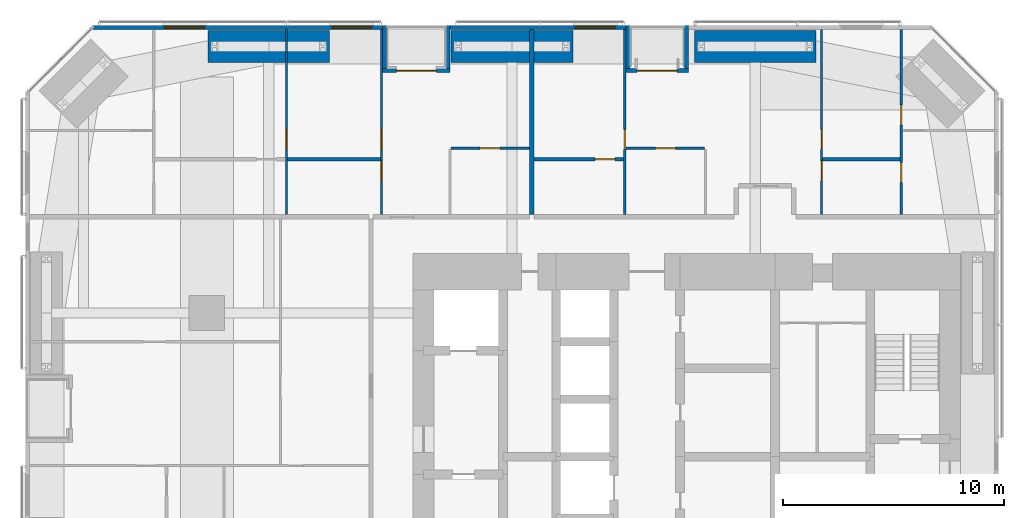
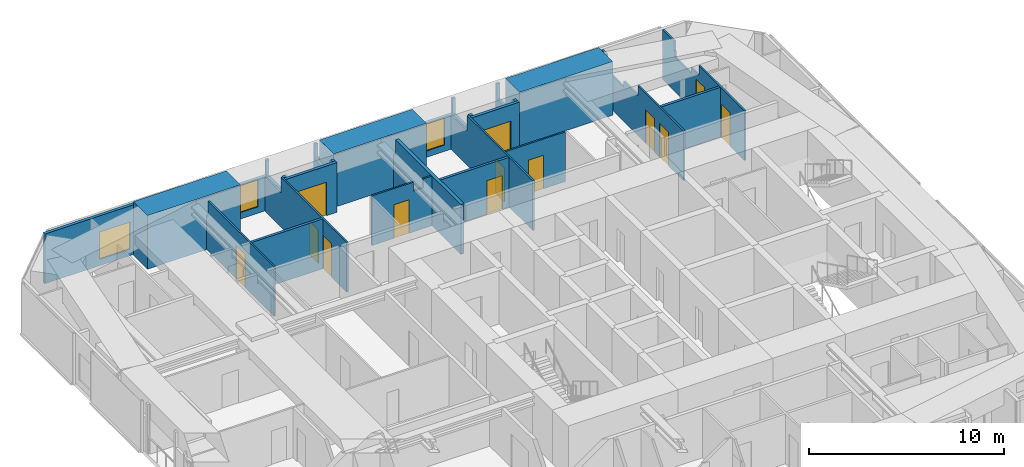
# One storey, part 20 of 22: 22 walls, 13 doors, 3 windows, 16 openings.
"""IFC4 building model written with IfcOpenShell, lengths in metres."""

from ifc_helpers import new_model, si_unit, direction, frame, frame_2d, origin, place, context, subcontext, project, spatial, polyline, rectangle, outline, extrude, material, layer, layer_set, constituent, constituent_set, type_object, element, fill, save


model = new_model("IFC4")

# Units and contexts
model_context = context("Model", 3, precision=1e-05, world=origin(), true_north=direction((0.0, 1.0)))
body_context = subcontext(model_context, "Body", "Model", "MODEL_VIEW")
ifc_project = project(units=[si_unit("LENGTHUNIT", "METRE"), si_unit("AREAUNIT", "SQUARE_METRE"), si_unit("VOLUMEUNIT", "CUBIC_METRE"), si_unit("PLANEANGLEUNIT", "RADIAN"), si_unit("MASSUNIT", "GRAM", prefix="KILO")], contexts=[model_context])

# Site, building, storey
site_placement = place(None, origin())
site = spatial("IfcSite", under=ifc_project, at=site_placement, CompositionType="ELEMENT")
building_placement = place(site_placement, origin())
building = spatial("IfcBuilding", under=site, at=building_placement, Name="Jalousie Tower", CompositionType="ELEMENT")
storey_placement = place(building_placement, frame((0.0, 0.0, 64.550048828125)))
storey = spatial("IfcBuildingStorey", under=building, at=storey_placement, Name="L17", CompositionType="ELEMENT", Elevation=64.550048828125)

# Wall
ifc_material_1 = material(Name="Concrete block ASTM C90", Category="concrete")
ifc_constituent_1 = constituent(ifc_material_1, Name="Body")
ifc_material_2 = material(Name="Render")
ifc_constituent_2 = constituent(ifc_material_2, Name="Finish")
ifc_constituent_set_1 = constituent_set(constituents=[ifc_constituent_1, ifc_constituent_2])
wall_type_1 = type_object("IfcWallType", Name="BATHROOM WALL 150", PredefinedType="PLUMBINGWALL", material=ifc_constituent_set_1)
wall_1_placement = place(storey_placement, frame((13.85009765625, 31.949951171875, 0.0), z_axis=(0.0, 0.0, 1.0), x_axis=(1.0, 0.0, 0.0)))
element("IfcWall", 1, at=wall_1_placement, inside=storey, type_object=wall_type_1, Name="Bathroom Wall 150 L17", PredefinedType="PLUMBINGWALL", context=body_context, shape_type="SweptSolid", body=[
    extrude(rectangle(XDim=4.199951171875, YDim=0.14990234375, at=frame_2d((2.10009765625, 0.0))), origin(), (0.0, 0.0, 1.0), 3.10986328125),
])

# Wall, opening, door
wall_2_placement = place(storey_placement, frame((25.0, 31.949951171875, 0.0), z_axis=(0.0, 0.0, 1.0), x_axis=(1.0, 0.0, 0.0)))
wall_2 = element("IfcWall", 2, at=wall_2_placement, inside=storey, type_object=wall_type_1, Name="Bathroom Wall 150 L17", PredefinedType="PLUMBINGWALL", context=body_context, shape_type="SweptSolid", body=[
    extrude(rectangle(XDim=4.050048828125, YDim=0.14990234375, at=frame_2d((2.02490234375, 0.0))), origin(), (0.0, 0.0, 1.0), 3.10986328125),
])
opening_1_placement = place(wall_2_placement, frame((2.75, 0.0, 0.0)))
opening_1 = element("IfcOpeningElement", 3, at=opening_1_placement, cuts=wall_2, Name="Opening D3", PredefinedType="OPENING", context=body_context, shape_type="SweptSolid", body=[
    extrude(rectangle(XDim=0.89990234375, YDim=2.10009765625, at=frame_2d((0.449951171875, 1.050048828125))), frame((0.0, 0.0849609375, 0.0), z_axis=(0.0, -1.0, 0.0), x_axis=(1.0, 0.0, 0.0)), (0.0, 0.0, 1.0), 0.169921875),
])
ifc_material_3 = material(Name="Timber door", Category="wood")
door_type_1 = type_object("IfcDoorType", Name="BATHROOM DOOR 900", OperationType="SINGLE_SWING_LEFT", PredefinedType="DOOR", material=ifc_material_3)
door_1_placement = place(opening_1_placement, frame((0.89990234375, 0.0, 0.0), z_axis=(0.0, 0.0, 1.0), x_axis=(-1.0, 0.0, 0.0)))
door_1 = element("IfcDoor", 4, at=door_1_placement, inside=storey, type_object=door_type_1, Name="Apartment 1704 bedroom 1 bathroom door", OperationType="SINGLE_SWING_LEFT", OverallHeight=2.10009765625, OverallWidth=0.89990234375, PredefinedType="DOOR", context=body_context, shape_type="SweptSolid", body=[
    extrude(rectangle(XDim=0.89990234375, YDim=2.10009765625, at=frame_2d((0.449951171875, 1.050048828125))), frame((0.0, 0.02490234375, 0.0), z_axis=(0.0, -1.0, 0.0), x_axis=(1.0, 0.0, 0.0)), (0.0, 0.0, 1.0), 0.050048828125),
])
fill(opening_1, door_1)

# Wall
wall_3_placement = place(storey_placement, frame((38.050048828125, 31.949951171875, 0.0), z_axis=(0.0, 0.0, 1.0), x_axis=(1.0, 0.0, 0.0)))
element("IfcWall", 5, at=wall_3_placement, inside=storey, type_object=wall_type_1, Name="Bathroom Wall 150 L17", PredefinedType="PLUMBINGWALL", context=body_context, shape_type="SweptSolid", body=[
    extrude(rectangle(XDim=3.5, YDim=0.14990234375, at=frame_2d((1.75, 0.0))), origin(), (0.0, 0.0, 1.0), 3.10986328125),
])

# Wall, opening, window
ifc_material_4 = material(Name="Concrete f'c 40 MPa", Category="concrete")
ifc_constituent_3 = constituent(ifc_material_4, Name="Body")
ifc_material_5 = material(Name="Render, pastel coral")
ifc_constituent_4 = constituent(ifc_material_5, Name="Finish")
ifc_constituent_set_2 = constituent_set(constituents=[ifc_constituent_3, ifc_constituent_4])
wall_type_2 = type_object("IfcWallType", Name="EXTERNAL WALL 175 CORAL RENDER", PredefinedType="SOLIDWALL", material=ifc_constituent_set_2)
wall_4_placement = place(storey_placement, frame((29.14990234375, 37.91259765625, 0.0), z_axis=(0.0, 0.0, 1.0), x_axis=(-1.0, 0.0, 0.0)))
wall_4 = element("IfcWall", 6, at=wall_4_placement, inside=storey, type_object=wall_type_2, Name="External Wall 175 Coral Render L17", PredefinedType="SOLIDWALL", context=body_context, shape_type="SweptSolid", body=[
    extrude(rectangle(XDim=7.949951171875, YDim=0.175048828125, at=frame_2d((3.97509765625, 0.0))), origin(), (0.0, 0.0, 1.0), 2.14990234375),
])
opening_2_placement = place(wall_4_placement, frame((0.489990234375, 0.0, 0.39990234375)))
opening_2 = element("IfcOpeningElement", 7, at=opening_2_placement, cuts=wall_4, Name="Opening W-BED170", PredefinedType="OPENING", context=body_context, shape_type="SweptSolid", body=[
    extrude(rectangle(XDim=1.800048828125, YDim=1.699951171875, at=frame_2d((0.89990234375, 0.85009765625))), frame((0.0, 0.097412109375, 0.0), z_axis=(0.0, -1.0, 0.0), x_axis=(1.0, 0.0, 0.0)), (0.0, 0.0, 1.0), 0.195068359375),
])
ifc_material_6 = material(Name="Aluminium frame, impact-rated glazing", Category="aluminium")
window_type = type_object("IfcWindowType", Name="WINDOW BED 1800x1700", PartitioningType="SINGLE_PANEL", PredefinedType="WINDOW", material=ifc_material_6)
window_1_placement = place(opening_2_placement, origin())
window_1 = element("IfcWindow", 8, at=window_1_placement, inside=storey, type_object=window_type, Name="Apartment 1704 bedroom 1 window", OverallHeight=1.699951171875, OverallWidth=1.800048828125, PartitioningType="SINGLE_PANEL", PredefinedType="WINDOW", context=body_context, shape_type="SweptSolid", body=[
    extrude(rectangle(XDim=1.800048828125, YDim=1.699951171875, at=frame_2d((0.89990234375, 0.85009765625))), frame((0.0, 0.030029296875, 0.0), z_axis=(0.0, -1.0, 0.0), x_axis=(1.0, 0.0, 0.0)), (0.0, 0.0, 1.0), 0.06005859375),
])
fill(opening_2, window_1)

# Wall, openings, windows
wall_5_placement = place(storey_placement, frame((18.14990234375, 37.91259765625, 0.0), z_axis=(0.0, 0.0, 1.0), x_axis=(-1.0, 0.0, 0.0)))
wall_5 = element("IfcWall", 9, at=wall_5_placement, inside=storey, type_object=wall_type_2, Name="External Wall 175 Coral Render L17", PredefinedType="SOLIDWALL", context=body_context, shape_type="SweptSolid", body=[
    extrude(outline(polyline([(0.0, 0.0), (13.0986328125, 0.0), (13.0986328125, 3.10986328125), (5.35400390625, 3.10986328125), (5.35400390625, 2.14990234375), (5.3056640625, 2.14990234375), (5.3056640625, 3.10986328125), (5.14990234375, 3.10986328125), (5.14990234375, 2.14990234375), (0.0, 2.14990234375), (0.0, 0.0)])), frame((0.0, 0.08740234375, 0.0), z_axis=(0.0, -1.0, 0.0), x_axis=(1.0, 0.0, 0.0)), (0.0, 0.0, 1.0), 0.175048828125),
])
opening_3_placement = place(wall_5_placement, frame((0.492431640625, 0.0, 0.39990234375)))
opening_3 = element("IfcOpeningElement", 10, at=opening_3_placement, cuts=wall_5, Name="Opening W-BED170", PredefinedType="OPENING", context=body_context, shape_type="SweptSolid", body=[
    extrude(rectangle(XDim=1.800048828125, YDim=1.699951171875, at=frame_2d((0.89990234375, 0.85009765625))), frame((0.0, 0.097412109375, 0.0), z_axis=(0.0, -1.0, 0.0), x_axis=(1.0, 0.0, 0.0)), (0.0, 0.0, 1.0), 0.195068359375),
])
opening_4_placement = place(wall_5_placement, frame((8.06494140625, 0.0, 0.39990234375)))
opening_4 = element("IfcOpeningElement", 11, at=opening_4_placement, cuts=wall_5, Name="Opening W-BED170", PredefinedType="OPENING", context=body_context, shape_type="SweptSolid", body=[
    extrude(rectangle(XDim=1.800048828125, YDim=1.699951171875, at=frame_2d((0.89990234375, 0.85009765625))), frame((0.0, 0.097412109375, 0.0), z_axis=(0.0, -1.0, 0.0), x_axis=(1.0, 0.0, 0.0)), (0.0, 0.0, 1.0), 0.195068359375),
])
window_2_placement = place(opening_3_placement, origin())
window_2 = element("IfcWindow", 12, at=window_2_placement, inside=storey, type_object=window_type, Name="Apartment 1703 bedroom 3 window", OverallHeight=1.699951171875, OverallWidth=1.800048828125, PartitioningType="SINGLE_PANEL", PredefinedType="WINDOW", context=body_context, shape_type="SweptSolid", body=[
    extrude(rectangle(XDim=1.800048828125, YDim=1.699951171875, at=frame_2d((0.89990234375, 0.85009765625))), frame((0.0, 0.030029296875, 0.0), z_axis=(0.0, -1.0, 0.0), x_axis=(1.0, 0.0, 0.0)), (0.0, 0.0, 1.0), 0.06005859375),
])
fill(opening_3, window_2)
window_3_placement = place(opening_4_placement, origin())
window_3 = element("IfcWindow", 13, at=window_3_placement, inside=storey, type_object=window_type, Name="Apartment 1703 bedroom 2 window", OverallHeight=1.699951171875, OverallWidth=1.800048828125, PartitioningType="SINGLE_PANEL", PredefinedType="WINDOW", context=body_context, shape_type="SweptSolid", body=[
    extrude(rectangle(XDim=1.800048828125, YDim=1.699951171875, at=frame_2d((0.89990234375, 0.85009765625))), frame((0.0, 0.030029296875, 0.0), z_axis=(0.0, -1.0, 0.0), x_axis=(1.0, 0.0, 0.0)), (0.0, 0.0, 1.0), 0.06005859375),
])
fill(opening_4, window_3)

# Wall, opening, door
wall_6_placement = place(storey_placement, frame((31.97509765625, 35.96240234375, 0.0), z_axis=(0.0, 0.0, 1.0), x_axis=(-1.0, 0.0, 0.0)))
wall_6 = element("IfcWall", 14, at=wall_6_placement, inside=storey, type_object=wall_type_2, Name="External Wall 175 Coral Render L17", PredefinedType="SOLIDWALL", context=body_context, shape_type="SweptSolid", body=[
    extrude(rectangle(XDim=2.8251953125, YDim=0.175048828125, at=frame_2d((1.41259765625, 0.0))), origin(), (0.0, 0.0, 1.0), 3.10986328125),
])
opening_5_placement = place(wall_6_placement, frame((0.512451171875, 0.0, 0.0)))
opening_5 = element("IfcOpeningElement", 15, at=opening_5_placement, cuts=wall_6, Name="Opening D-BAL21", PredefinedType="OPENING", context=body_context, shape_type="SweptSolid", body=[
    extrude(rectangle(XDim=1.800048828125, YDim=2.10009765625, at=frame_2d((0.89990234375, 1.050048828125))), frame((0.0, 0.097412109375, 0.0), z_axis=(0.0, -1.0, 0.0), x_axis=(1.0, 0.0, 0.0)), (0.0, 0.0, 1.0), 0.195068359375),
])
ifc_material_7 = material(Name="Aluminium frame, impact-rated glazing", Category="aluminium")
door_type_2 = type_object("IfcDoorType", Name="BALCONY DOOR 1800x2100", OperationType="SLIDING_TO_LEFT", PredefinedType="DOOR", material=ifc_material_7)
door_2_placement = place(opening_5_placement, origin())
door_2 = element("IfcDoor", 16, at=door_2_placement, inside=storey, type_object=door_type_2, Name="Apartment 1704 living and dining room loggia door", OperationType="SLIDING_TO_LEFT", OverallHeight=2.10009765625, OverallWidth=1.800048828125, PredefinedType="DOOR", context=body_context, shape_type="SweptSolid", body=[
    extrude(rectangle(XDim=1.800048828125, YDim=2.10009765625, at=frame_2d((0.89990234375, 1.050048828125))), frame((0.0, 0.02490234375, 0.0), z_axis=(0.0, -1.0, 0.0), x_axis=(1.0, 0.0, 0.0)), (0.0, 0.0, 1.0), 0.050048828125),
])
fill(opening_5, door_2)

# Walls
for number, where, z_axis, x_axis, name in (
    (17, (31.887451171875, 38.0, 0.0), (0.0, 0.0, 1.0), (0.0, -1.0, 0.0), "External Wall 175 Coral Render L17"),
    (18, (29.237548828125, 38.0, 0.0), (0.0, 0.0, 1.0), (0.0, -1.0, 0.0), "External Wall 175 Coral Render L17"),
):
    element("IfcWall", number, at=place(storey_placement, frame(where, z_axis=z_axis, x_axis=x_axis)), inside=storey, type_object=wall_type_2, Name=name, PredefinedType="SOLIDWALL", context=body_context, shape_type="SweptSolid", body=[
        extrude(outline(polyline([(0.0, 0.0), (1.949951171875, 0.0), (1.949951171875, 3.10986328125), (1.75, 3.10986328125), (1.75, 2.14990234375), (0.14990234375, 2.14990234375), (0.14990234375, 3.10986328125), (0.0, 3.10986328125), (0.0, 0.0)])), frame((0.0, 0.08740234375, 0.0), z_axis=(0.0, -1.0, 0.0), x_axis=(1.0, 0.0, 0.0)), (0.0, 0.0, 1.0), 0.175048828125),
    ])

# Wall, opening, door
wall_7_placement = place(storey_placement, frame((21.199951171875, 35.96240234375, 0.0), z_axis=(0.0, 0.0, 1.0), x_axis=(-1.0, 0.0, 0.0)))
wall_7 = element("IfcWall", 19, at=wall_7_placement, inside=storey, type_object=wall_type_2, Name="External Wall 175 Coral Render L17", PredefinedType="SOLIDWALL", context=body_context, shape_type="SweptSolid", body=[
    extrude(rectangle(XDim=3.050048828125, YDim=0.175048828125, at=frame_2d((1.52490234375, 0.0))), origin(), (0.0, 0.0, 1.0), 3.10986328125),
])
opening_6_placement = place(wall_7_placement, frame((0.625, 0.0, 0.0)))
opening_6 = element("IfcOpeningElement", 20, at=opening_6_placement, cuts=wall_7, Name="Opening D-BAL21", PredefinedType="OPENING", context=body_context, shape_type="SweptSolid", body=[
    extrude(rectangle(XDim=1.800048828125, YDim=2.10009765625, at=frame_2d((0.89990234375, 1.050048828125))), frame((0.0, 0.097412109375, 0.0), z_axis=(0.0, -1.0, 0.0), x_axis=(1.0, 0.0, 0.0)), (0.0, 0.0, 1.0), 0.195068359375),
])
door_3_placement = place(opening_6_placement, origin())
door_3 = element("IfcDoor", 21, at=door_3_placement, inside=storey, type_object=door_type_2, Name="Apartment 1703 living and dining room loggia door", OperationType="SLIDING_TO_LEFT", OverallHeight=2.10009765625, OverallWidth=1.800048828125, PredefinedType="DOOR", context=body_context, shape_type="SweptSolid", body=[
    extrude(rectangle(XDim=1.800048828125, YDim=2.10009765625, at=frame_2d((0.89990234375, 1.050048828125))), frame((0.0, 0.02490234375, 0.0), z_axis=(0.0, -1.0, 0.0), x_axis=(1.0, 0.0, 0.0)), (0.0, 0.0, 1.0), 0.050048828125),
])
fill(opening_6, door_3)

# Walls
for number, where, z_axis, x_axis, name in (
    (22, (21.112548828125, 38.0, 0.0), (0.0, 0.0, 1.0), (0.0, -1.0, 0.0), "External Wall 175 Coral Render L17"),
    (23, (18.237548828125, 38.0, 0.0), (0.0, 0.0, 1.0), (0.0, -1.0, 0.0), "External Wall 175 Coral Render L17"),
):
    element("IfcWall", number, at=place(storey_placement, frame(where, z_axis=z_axis, x_axis=x_axis)), inside=storey, type_object=wall_type_2, Name=name, PredefinedType="SOLIDWALL", context=body_context, shape_type="SweptSolid", body=[
        extrude(outline(polyline([(0.0, 0.0), (1.949951171875, 0.0), (1.949951171875, 3.10986328125), (1.75, 3.10986328125), (1.75, 2.14990234375), (0.14990234375, 2.14990234375), (0.14990234375, 3.10986328125), (0.0, 3.10986328125), (0.0, 0.0)])), frame((0.0, 0.08740234375, 0.0), z_axis=(0.0, -1.0, 0.0), x_axis=(1.0, 0.0, 0.0)), (0.0, 0.0, 1.0), 0.175048828125),
    ])

# Wall, opening, door
ifc_material_8 = material(Name="Gypsum board", Category="gypsum")
ifc_constituent_5 = constituent(ifc_material_8, Name="Body")
ifc_material_9 = material(Name="Light-gauge steel studs ASTM A653 SS Grade 33", Category="steel")
ifc_constituent_6 = constituent(ifc_material_9, Name="Framing")
ifc_constituent_set_3 = constituent_set(constituents=[ifc_constituent_5, ifc_constituent_6])
wall_type_3 = type_object("IfcWallType", Name="PARTITION 100", PredefinedType="PARTITIONING", material=ifc_constituent_set_3)
wall_8_placement = place(storey_placement, frame((13.800048828125, 37.824951171875, 0.0), z_axis=(0.0, 0.0, 1.0), x_axis=(0.0, -1.0, 0.0)))
wall_8 = element("IfcWall", 24, at=wall_8_placement, inside=storey, type_object=wall_type_3, Name="Partition 100 L17", PredefinedType="PARTITIONING", context=body_context, shape_type="SweptSolid", body=[
    extrude(outline(polyline([(1.635009765625, 2.14990234375), (0.0, 2.14990234375), (0.0, 0.0), (8.375, 0.0), (8.375, 3.10986328125), (1.635009765625, 3.10986328125), (1.635009765625, 2.14990234375)]), holes=[polyline([(1.021240234375, 0.133056640625), (0.52880859375, 0.133056640625), (0.52880859375, 0.9228515625), (1.021240234375, 0.9228515625), (1.021240234375, 0.133056640625)]), polyline([(1.021240234375, 1.22705078125), (0.52880859375, 1.22705078125), (0.52880859375, 2.016845703125), (1.021240234375, 2.016845703125), (1.021240234375, 1.22705078125)])]), frame((0.0, 0.050048828125, 0.0), z_axis=(0.0, -1.0, 0.0), x_axis=(1.0, 0.0, 0.0)), (0.0, 0.0, 1.0), 0.10009765625),
])
opening_7_placement = place(wall_8_placement, frame((4.52490234375, 0.0, 0.0)))
opening_7 = element("IfcOpeningElement", 25, at=opening_7_placement, cuts=wall_8, Name="Opening D2", PredefinedType="OPENING", context=body_context, shape_type="SweptSolid", body=[
    extrude(rectangle(XDim=0.89990234375, YDim=2.10009765625, at=frame_2d((0.449951171875, 1.050048828125))), frame((0.0, 0.06005859375, 0.0), z_axis=(0.0, -1.0, 0.0), x_axis=(1.0, 0.0, 0.0)), (0.0, 0.0, 1.0), 0.1201171875),
])
ifc_material_10 = material(Name="Timber door", Category="wood")
door_type_3 = type_object("IfcDoorType", Name="BEDROOM DOOR 900", OperationType="SINGLE_SWING_LEFT", PredefinedType="DOOR", material=ifc_material_10)
door_4_placement = place(opening_7_placement, frame((0.89990234375, 0.0, 0.0), z_axis=(0.0, 0.0, 1.0), x_axis=(-1.0, 0.0, 0.0)))
door_4 = element("IfcDoor", 26, at=door_4_placement, inside=storey, type_object=door_type_3, Name="Apartment 1703 bedroom 2 door", OperationType="SINGLE_SWING_LEFT", OverallHeight=2.10009765625, OverallWidth=0.89990234375, PredefinedType="DOOR", context=body_context, shape_type="SweptSolid", body=[
    extrude(rectangle(XDim=0.89990234375, YDim=2.10009765625, at=frame_2d((0.449951171875, 1.050048828125))), frame((0.0, 0.02490234375, 0.0), z_axis=(0.0, -1.0, 0.0), x_axis=(1.0, 0.0, 0.0)), (0.0, 0.0, 1.0), 0.050048828125),
])
fill(opening_7, door_4)

# Wall, openings, doors
wall_9_placement = place(storey_placement, frame((18.10009765625, 37.824951171875, 0.0), z_axis=(0.0, 0.0, 1.0), x_axis=(0.0, -1.0, 0.0)))
wall_9 = element("IfcWall", 27, at=wall_9_placement, inside=storey, type_object=wall_type_3, Name="Partition 100 L17", PredefinedType="PARTITIONING", context=body_context, shape_type="SweptSolid", body=[
    extrude(outline(polyline([(0.0, 0.0), (8.375, 0.0), (8.375, 3.10986328125), (1.635009765625, 3.10986328125), (1.635009765625, 2.14990234375), (0.0, 2.14990234375), (0.0, 3.10986328125), (0.0, 0.0)])), frame((0.0, 0.050048828125, 0.0), z_axis=(0.0, -1.0, 0.0), x_axis=(1.0, 0.0, 0.0)), (0.0, 0.0, 1.0), 0.10009765625),
])
opening_8_placement = place(wall_9_placement, frame((4.52490234375, 0.0, 0.0)))
opening_8 = element("IfcOpeningElement", 28, at=opening_8_placement, cuts=wall_9, Name="Opening D2", PredefinedType="OPENING", context=body_context, shape_type="SweptSolid", body=[
    extrude(rectangle(XDim=0.89990234375, YDim=2.10009765625, at=frame_2d((0.449951171875, 1.050048828125))), frame((0.0, 0.06005859375, 0.0), z_axis=(0.0, -1.0, 0.0), x_axis=(1.0, 0.0, 0.0)), (0.0, 0.0, 1.0), 0.1201171875),
])
opening_9_placement = place(wall_9_placement, frame((5.949951171875, 0.0, 0.0)))
opening_9 = element("IfcOpeningElement", 29, at=opening_9_placement, cuts=wall_9, Name="Opening D7", PredefinedType="OPENING", context=body_context, shape_type="SweptSolid", body=[
    extrude(rectangle(XDim=0.89990234375, YDim=2.10009765625, at=frame_2d((0.449951171875, 1.050048828125))), frame((0.0, 0.06005859375, 0.0), z_axis=(0.0, -1.0, 0.0), x_axis=(1.0, 0.0, 0.0)), (0.0, 0.0, 1.0), 0.1201171875),
])
door_5_placement = place(opening_8_placement, frame((0.89990234375, 0.0, 0.0), z_axis=(0.0, 0.0, 1.0), x_axis=(-1.0, 0.0, 0.0)))
door_5 = element("IfcDoor", 30, at=door_5_placement, inside=storey, type_object=door_type_3, Name="Apartment 1703 bedroom 3 door", OperationType="SINGLE_SWING_LEFT", OverallHeight=2.10009765625, OverallWidth=0.89990234375, PredefinedType="DOOR", context=body_context, shape_type="SweptSolid", body=[
    extrude(rectangle(XDim=0.89990234375, YDim=2.10009765625, at=frame_2d((0.449951171875, 1.050048828125))), frame((0.0, 0.02490234375, 0.0), z_axis=(0.0, -1.0, 0.0), x_axis=(1.0, 0.0, 0.0)), (0.0, 0.0, 1.0), 0.050048828125),
])
fill(opening_8, door_5)
ifc_material_11 = material(Name="Timber door", Category="wood")
door_type_4 = type_object("IfcDoorType", Name="INTERNAL DOOR 900", OperationType="SINGLE_SWING_LEFT", PredefinedType="DOOR", material=ifc_material_11)
door_6_placement = place(opening_9_placement, frame((0.89990234375, 0.0, 0.0), z_axis=(0.0, 0.0, 1.0), x_axis=(-1.0, 0.0, 0.0)))
door_6 = element("IfcDoor", 31, at=door_6_placement, inside=storey, type_object=door_type_4, Name="Apartment 1703 bathroom door", OperationType="SINGLE_SWING_RIGHT", OverallHeight=2.10009765625, OverallWidth=0.89990234375, PredefinedType="DOOR", context=body_context, shape_type="SweptSolid", body=[
    extrude(rectangle(XDim=0.89990234375, YDim=2.10009765625, at=frame_2d((0.449951171875, 1.050048828125))), frame((0.0, 0.02490234375, 0.0), z_axis=(0.0, -1.0, 0.0), x_axis=(1.0, 0.0, 0.0)), (0.0, 0.0, 1.0), 0.050048828125),
])
fill(opening_9, door_6)

# Wall, opening, door
wall_10_placement = place(storey_placement, frame((21.25, 32.449951171875, 0.0), z_axis=(0.0, 0.0, 1.0), x_axis=(1.0, 0.0, 0.0)))
wall_10 = element("IfcWall", 32, at=wall_10_placement, inside=storey, type_object=wall_type_3, Name="Partition 100 L17", PredefinedType="PARTITIONING", context=body_context, shape_type="SweptSolid", body=[
    extrude(outline(polyline([(0.0, 0.0), (3.550048828125, 0.0), (3.550048828125, 3.10986328125), (3.037353515625, 3.10986328125), (3.037353515625, 2.541015625), (2.462646484375, 2.541015625), (2.462646484375, 3.10986328125), (0.0, 3.10986328125), (0.0, 0.0)])), frame((0.0, 0.050048828125, 0.0), z_axis=(0.0, -1.0, 0.0), x_axis=(1.0, 0.0, 0.0)), (0.0, 0.0, 1.0), 0.10009765625),
])
opening_10_placement = place(wall_10_placement, frame((1.300048828125, 0.0, 0.0)))
opening_10 = element("IfcOpeningElement", 33, at=opening_10_placement, cuts=wall_10, Name="Opening D7", PredefinedType="OPENING", context=body_context, shape_type="SweptSolid", body=[
    extrude(rectangle(XDim=0.89990234375, YDim=2.10009765625, at=frame_2d((0.449951171875, 1.050048828125))), frame((0.0, 0.06005859375, 0.0), z_axis=(0.0, -1.0, 0.0), x_axis=(1.0, 0.0, 0.0)), (0.0, 0.0, 1.0), 0.1201171875),
])
door_7_placement = place(opening_10_placement, origin())
door_7 = element("IfcDoor", 34, at=door_7_placement, inside=storey, type_object=door_type_4, Name="Apartment 1703 kitchen door", OperationType="SINGLE_SWING_RIGHT", OverallHeight=2.10009765625, OverallWidth=0.89990234375, PredefinedType="DOOR", context=body_context, shape_type="SweptSolid", body=[
    extrude(rectangle(XDim=0.89990234375, YDim=2.10009765625, at=frame_2d((0.449951171875, 1.050048828125))), frame((0.0, 0.02490234375, 0.0), z_axis=(0.0, -1.0, 0.0), x_axis=(1.0, 0.0, 0.0)), (0.0, 0.0, 1.0), 0.050048828125),
])
fill(opening_10, door_7)

wall_11_placement = place(storey_placement, frame((29.10009765625, 37.824951171875, 0.0), z_axis=(0.0, 0.0, 1.0), x_axis=(0.0, -1.0, 0.0)))
wall_11 = element("IfcWall", 35, at=wall_11_placement, inside=storey, type_object=wall_type_3, Name="Partition 100 L17", PredefinedType="PARTITIONING", context=body_context, shape_type="SweptSolid", body=[
    extrude(outline(polyline([(0.0, 0.0), (8.375, 0.0), (8.375, 3.10986328125), (1.635009765625, 3.10986328125), (1.635009765625, 2.14990234375), (0.0, 2.14990234375), (0.0, 3.10986328125), (0.0, 0.0)])), frame((0.0, 0.050048828125, 0.0), z_axis=(0.0, -1.0, 0.0), x_axis=(1.0, 0.0, 0.0)), (0.0, 0.0, 1.0), 0.10009765625),
])
opening_11_placement = place(wall_11_placement, frame((4.52490234375, 0.0, 0.0)))
opening_11 = element("IfcOpeningElement", 36, at=opening_11_placement, cuts=wall_11, Name="Opening D2", PredefinedType="OPENING", context=body_context, shape_type="SweptSolid", body=[
    extrude(rectangle(XDim=0.89990234375, YDim=2.10009765625, at=frame_2d((0.449951171875, 1.050048828125))), frame((0.0, 0.06005859375, 0.0), z_axis=(0.0, -1.0, 0.0), x_axis=(1.0, 0.0, 0.0)), (0.0, 0.0, 1.0), 0.1201171875),
])
door_8_placement = place(opening_11_placement, frame((0.89990234375, 0.0, 0.0), z_axis=(0.0, 0.0, 1.0), x_axis=(-1.0, 0.0, 0.0)))
door_8 = element("IfcDoor", 37, at=door_8_placement, inside=storey, type_object=door_type_3, Name="Apartment 1704 bedroom 1 door", OperationType="SINGLE_SWING_LEFT", OverallHeight=2.10009765625, OverallWidth=0.89990234375, PredefinedType="DOOR", context=body_context, shape_type="SweptSolid", body=[
    extrude(rectangle(XDim=0.89990234375, YDim=2.10009765625, at=frame_2d((0.449951171875, 1.050048828125))), frame((0.0, 0.02490234375, 0.0), z_axis=(0.0, -1.0, 0.0), x_axis=(1.0, 0.0, 0.0)), (0.0, 0.0, 1.0), 0.050048828125),
])
fill(opening_11, door_8)

# Wall, openings, doors
wall_12_placement = place(storey_placement, frame((38.0, 37.824951171875, 0.0), z_axis=(0.0, 0.0, 1.0), x_axis=(0.0, -1.0, 0.0)))
wall_12 = element("IfcWall", 38, at=wall_12_placement, inside=storey, type_object=wall_type_3, Name="Partition 100 L17", PredefinedType="PARTITIONING", context=body_context, shape_type="SweptSolid", body=[
    extrude(outline(polyline([(0.0, 0.0), (8.375, 0.0), (8.375, 3.10986328125), (3.71630859375, 3.10986328125), (3.71630859375, 2.510009765625), (2.2548828125, 2.510009765625), (2.2548828125, 2.14990234375), (0.50048828125, 2.14990234375), (0.50048828125, 3.10986328125), (0.0, 3.10986328125), (0.0, 0.0)])), frame((0.0, 0.050048828125, 0.0), z_axis=(0.0, -1.0, 0.0), x_axis=(1.0, 0.0, 0.0)), (0.0, 0.0, 1.0), 0.10009765625),
])
opening_12_placement = place(wall_12_placement, frame((4.52490234375, 0.0, 0.0)))
opening_12 = element("IfcOpeningElement", 39, at=opening_12_placement, cuts=wall_12, Name="Opening D2", PredefinedType="OPENING", context=body_context, shape_type="SweptSolid", body=[
    extrude(rectangle(XDim=0.89990234375, YDim=2.10009765625, at=frame_2d((0.449951171875, 1.050048828125))), frame((0.0, 0.06005859375, 0.0), z_axis=(0.0, -1.0, 0.0), x_axis=(1.0, 0.0, 0.0)), (0.0, 0.0, 1.0), 0.1201171875),
])
opening_13_placement = place(wall_12_placement, frame((5.949951171875, 0.0, 0.0)))
opening_13 = element("IfcOpeningElement", 40, at=opening_13_placement, cuts=wall_12, Name="Opening D7", PredefinedType="OPENING", context=body_context, shape_type="SweptSolid", body=[
    extrude(rectangle(XDim=0.89990234375, YDim=2.10009765625, at=frame_2d((0.449951171875, 1.050048828125))), frame((0.0, 0.06005859375, 0.0), z_axis=(0.0, -1.0, 0.0), x_axis=(1.0, 0.0, 0.0)), (0.0, 0.0, 1.0), 0.1201171875),
])
door_9_placement = place(opening_12_placement, origin())
door_9 = element("IfcDoor", 41, at=door_9_placement, inside=storey, type_object=door_type_3, Name="Apartment 1704 bedroom 2 door", OperationType="SINGLE_SWING_RIGHT", OverallHeight=2.10009765625, OverallWidth=0.89990234375, PredefinedType="DOOR", context=body_context, shape_type="SweptSolid", body=[
    extrude(rectangle(XDim=0.89990234375, YDim=2.10009765625, at=frame_2d((0.449951171875, 1.050048828125))), frame((0.0, 0.02490234375, 0.0), z_axis=(0.0, -1.0, 0.0), x_axis=(1.0, 0.0, 0.0)), (0.0, 0.0, 1.0), 0.050048828125),
])
fill(opening_12, door_9)
door_10_placement = place(opening_13_placement, origin())
door_10 = element("IfcDoor", 42, at=door_10_placement, inside=storey, type_object=door_type_4, Name="Apartment 1704 bathroom door", OperationType="SINGLE_SWING_LEFT", OverallHeight=2.10009765625, OverallWidth=0.89990234375, PredefinedType="DOOR", context=body_context, shape_type="SweptSolid", body=[
    extrude(rectangle(XDim=0.89990234375, YDim=2.10009765625, at=frame_2d((0.449951171875, 1.050048828125))), frame((0.0, 0.02490234375, 0.0), z_axis=(0.0, -1.0, 0.0), x_axis=(1.0, 0.0, 0.0)), (0.0, 0.0, 1.0), 0.050048828125),
])
fill(opening_13, door_10)

wall_13_placement = place(storey_placement, frame((41.60009765625, 37.824951171875, 0.0), z_axis=(0.0, 0.0, 1.0), x_axis=(0.0, -1.0, 0.0)))
wall_13 = element("IfcWall", 43, at=wall_13_placement, inside=storey, type_object=wall_type_3, Name="Partition 100 L17", PredefinedType="PARTITIONING", context=body_context, shape_type="SweptSolid", body=[
    extrude(outline(polyline([(0.0, 0.0), (8.375, 0.0), (8.375, 3.10986328125), (3.71630859375, 3.10986328125), (3.71630859375, 2.510009765625), (2.927001953125, 2.510009765625), (2.927001953125, 2.14990234375), (1.27490234375, 2.14990234375), (1.27490234375, 2.510009765625), (1.1962890625, 2.510009765625), (1.1962890625, 3.10986328125), (0.0, 3.10986328125), (0.0, 0.0)])), frame((0.0, 0.050048828125, 0.0), z_axis=(0.0, -1.0, 0.0), x_axis=(1.0, 0.0, 0.0)), (0.0, 0.0, 1.0), 0.10009765625),
])
opening_14_placement = place(wall_13_placement, frame((3.421630859375, 0.0, 0.0)))
opening_14 = element("IfcOpeningElement", 44, at=opening_14_placement, cuts=wall_13, Name="Opening D2", PredefinedType="OPENING", context=body_context, shape_type="SweptSolid", body=[
    extrude(rectangle(XDim=0.89990234375, YDim=2.10009765625, at=frame_2d((0.449951171875, 1.050048828125))), frame((0.0, 0.06005859375, 0.0), z_axis=(0.0, -1.0, 0.0), x_axis=(1.0, 0.0, 0.0)), (0.0, 0.0, 1.0), 0.1201171875),
])
opening_15_placement = place(wall_13_placement, frame((6.023193359375, 0.0, 0.0)))
opening_15 = element("IfcOpeningElement", 45, at=opening_15_placement, cuts=wall_13, Name="Opening D3", PredefinedType="OPENING", context=body_context, shape_type="SweptSolid", body=[
    extrude(rectangle(XDim=0.89990234375, YDim=2.10009765625, at=frame_2d((0.449951171875, 1.050048828125))), frame((0.0, 0.06005859375, 0.0), z_axis=(0.0, -1.0, 0.0), x_axis=(1.0, 0.0, 0.0)), (0.0, 0.0, 1.0), 0.1201171875),
])
door_11_placement = place(opening_15_placement, frame((0.89990234375, 0.0, 0.0), z_axis=(0.0, 0.0, 1.0), x_axis=(-1.0, 0.0, 0.0)))
door_11 = element("IfcDoor", 46, at=door_11_placement, inside=storey, type_object=door_type_1, Name="Apartment 1704 bedroom 3 bathroom door", OperationType="SINGLE_SWING_RIGHT", OverallHeight=2.10009765625, OverallWidth=0.89990234375, PredefinedType="DOOR", context=body_context, shape_type="SweptSolid", body=[
    extrude(rectangle(XDim=0.89990234375, YDim=2.10009765625, at=frame_2d((0.449951171875, 1.050048828125))), frame((0.0, 0.02490234375, 0.0), z_axis=(0.0, -1.0, 0.0), x_axis=(1.0, 0.0, 0.0)), (0.0, 0.0, 1.0), 0.050048828125),
])
fill(opening_15, door_11)
door_12_placement = place(opening_14_placement, frame((0.89990234375, 0.0, 0.0), z_axis=(0.0, 0.0, 1.0), x_axis=(-1.0, 0.0, 0.0)))
door_12 = element("IfcDoor", 47, at=door_12_placement, inside=storey, type_object=door_type_3, Name="Apartment 1704 bedroom 3 door", OperationType="SINGLE_SWING_LEFT", OverallHeight=2.10009765625, OverallWidth=0.89990234375, PredefinedType="DOOR", context=body_context, shape_type="SweptSolid", body=[
    extrude(rectangle(XDim=0.89990234375, YDim=2.10009765625, at=frame_2d((0.449951171875, 1.050048828125))), frame((0.0, 0.02490234375, 0.0), z_axis=(0.0, -1.0, 0.0), x_axis=(1.0, 0.0, 0.0)), (0.0, 0.0, 1.0), 0.050048828125),
])
fill(opening_14, door_12)

# Wall, opening, door
wall_14_placement = place(storey_placement, frame((29.14990234375, 32.449951171875, 0.0), z_axis=(0.0, 0.0, 1.0), x_axis=(1.0, 0.0, 0.0)))
wall_14 = element("IfcWall", 48, at=wall_14_placement, inside=storey, type_object=wall_type_3, Name="Partition 100 L17", PredefinedType="PARTITIONING", context=body_context, shape_type="SweptSolid", body=[
    extrude(rectangle(XDim=3.550048828125, YDim=0.10009765625, at=frame_2d((1.77490234375, 0.0))), origin(), (0.0, 0.0, 1.0), 3.10986328125),
])
opening_16_placement = place(wall_14_placement, frame((1.35009765625, 0.0, 0.0)))
opening_16 = element("IfcOpeningElement", 49, at=opening_16_placement, cuts=wall_14, Name="Opening D7", PredefinedType="OPENING", context=body_context, shape_type="SweptSolid", body=[
    extrude(rectangle(XDim=0.89990234375, YDim=2.10009765625, at=frame_2d((0.449951171875, 1.050048828125))), frame((0.0, 0.06005859375, 0.0), z_axis=(0.0, -1.0, 0.0), x_axis=(1.0, 0.0, 0.0)), (0.0, 0.0, 1.0), 0.1201171875),
])
door_13_placement = place(opening_16_placement, origin())
door_13 = element("IfcDoor", 50, at=door_13_placement, inside=storey, type_object=door_type_4, Name="Apartment 1704 kitchen door", OperationType="SINGLE_SWING_LEFT", OverallHeight=2.10009765625, OverallWidth=0.89990234375, PredefinedType="DOOR", context=body_context, shape_type="SweptSolid", body=[
    extrude(rectangle(XDim=0.89990234375, YDim=2.10009765625, at=frame_2d((0.449951171875, 1.050048828125))), frame((0.0, 0.02490234375, 0.0), z_axis=(0.0, -1.0, 0.0), x_axis=(1.0, 0.0, 0.0)), (0.0, 0.0, 1.0), 0.050048828125),
])
fill(opening_16, door_13)

# Walls
ifc_material_12 = material(Name="Concrete block ASTM C90", Category="concrete")
ifc_constituent_7 = constituent(ifc_material_12, Name="Body")
ifc_material_13 = material(Name="Render")
ifc_constituent_8 = constituent(ifc_material_13, Name="Finish")
ifc_constituent_set_4 = constituent_set(constituents=[ifc_constituent_7, ifc_constituent_8])
wall_type_4 = type_object("IfcWallType", Name="PARTY WALL 200", PredefinedType="PARTITIONING", material=ifc_constituent_set_4)
wall_15_placement = place(storey_placement, frame((24.89990234375, 37.824951171875, 0.0), z_axis=(0.0, 0.0, 1.0), x_axis=(0.0, -1.0, 0.0)))
element("IfcWall", 51, at=wall_15_placement, inside=storey, type_object=wall_type_4, Name="Party Wall 200 L17", PredefinedType="PARTITIONING", context=body_context, shape_type="SweptSolid", body=[
    extrude(outline(polyline([(0.52880859375, 2.14990234375), (0.0, 2.14990234375), (0.0, 0.0), (0.52880859375, 0.0), (0.52880859375, 0.888671875), (1.021240234375, 0.888671875), (1.021240234375, 0.0), (8.375, 0.0), (8.375, 3.10986328125), (1.68505859375, 3.10986328125), (1.68505859375, 2.14990234375), (1.021240234375, 2.14990234375), (1.021240234375, 1.26123046875), (0.52880859375, 1.26123046875), (0.52880859375, 2.14990234375)])), frame((0.0, 0.10009765625, 0.0), z_axis=(0.0, -1.0, 0.0), x_axis=(1.0, 0.0, 0.0)), (0.0, 0.0, 1.0), 0.199951171875),
])
ifc_material_14 = material(Name="Concrete f'c 120 MPa", Category="concrete")
ifc_layer = layer(ifc_material_14, 1.449951171875)
ifc_layer_set = layer_set([ifc_layer], Name="Concrete f'c 120 MPa")
wall_type_5 = type_object("IfcWallType", Name="RC WALL PIER 1450", PredefinedType="SHEAR", material=ifc_layer_set)
for number, where, z_axis, x_axis, name in (
    (52, (32.25, 37.050048828125, 0.0), (0.0, 0.0, 1.0), (1.0, 0.0, 0.0), "Wall pier 09 L17"),
    (53, (21.25, 37.050048828125, 0.0), (0.0, 0.0, 1.0), (1.0, 0.0, 0.0), "Wall pier 10 L17"),
    (54, (10.25, 37.050048828125, 0.0), (0.0, 0.0, 1.0), (1.0, 0.0, 0.0), "Wall pier 11 L17"),
):
    element("IfcWall", number, at=place(storey_placement, frame(where, z_axis=z_axis, x_axis=x_axis)), inside=storey, type_object=wall_type_5, Name=name, PredefinedType="SHEAR", context=body_context, shape_type="SweptSolid", body=[
        extrude(rectangle(XDim=5.5, YDim=1.449951171875, at=frame_2d((2.75, 0.0))), origin(), (0.0, 0.0, 1.0), 3.349853515625),
    ])

save(model, "model.ifc")
